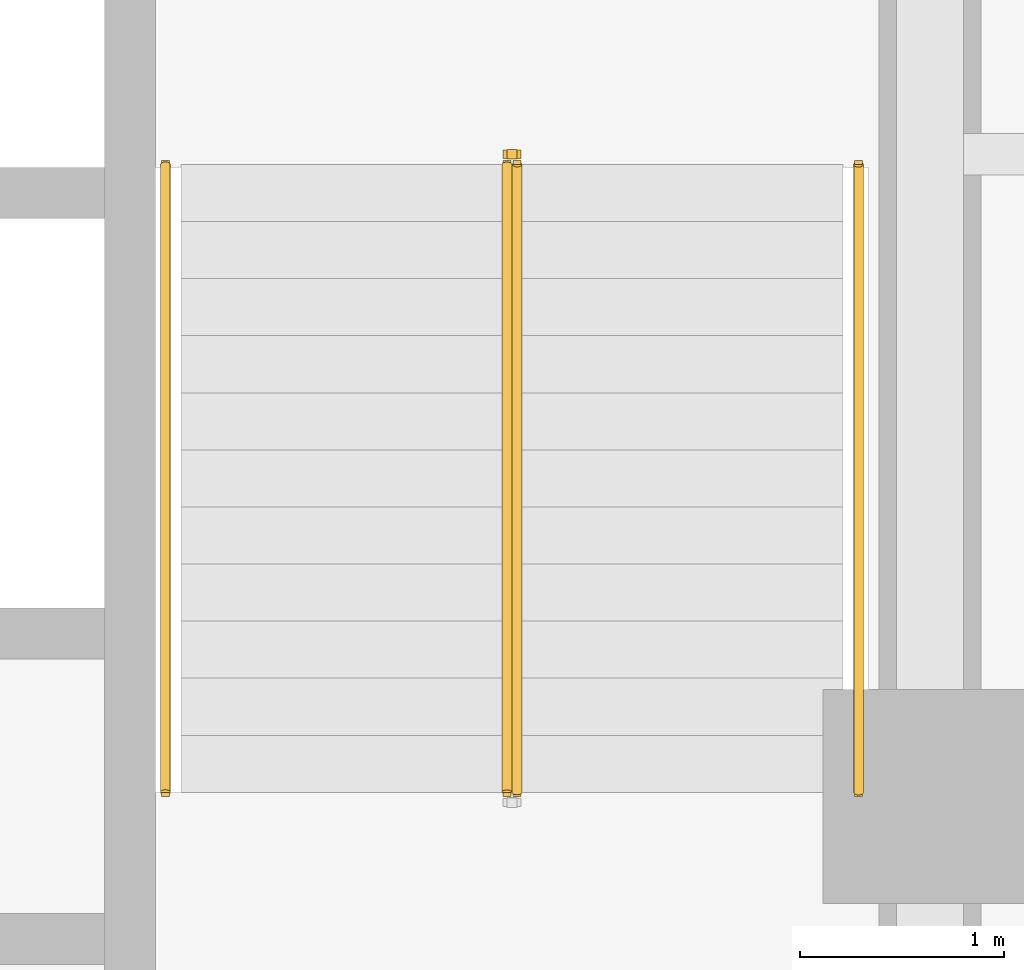
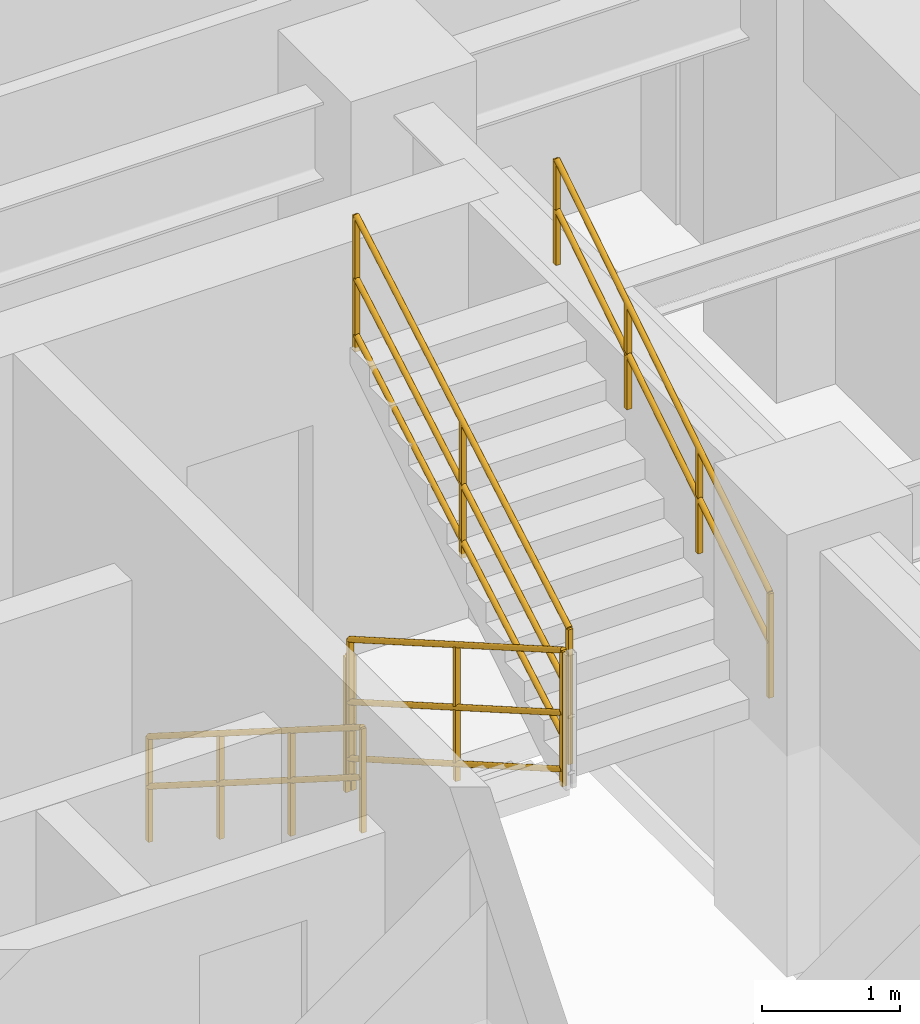
# One storey, part 9 of 10: 5 railings.
"""IFC4 building model written with IfcOpenShell, lengths in metres."""

from ifc_helpers import new_model, entity, si_unit, converted_unit, direction, frame, origin_with_axes, origin_2d_with_axis, place, context, subcontext, project, spatial, rectangle, circle, extrude, material, type_object, element, save


model = new_model("IFC4")

# Units and contexts
model_context = context("Model", 3, precision=1e-05, world=origin_with_axes(), true_north=direction((0.0, 1.0)))
body_context = subcontext(model_context, "Body", "Model", "MODEL_VIEW")
ifc_project = project(units=[si_unit("LENGTHUNIT", "METRE"), si_unit("AREAUNIT", "SQUARE_METRE"), si_unit("VOLUMEUNIT", "CUBIC_METRE"), converted_unit("PLANEANGLEUNIT", "DEGREE", entity("IfcPlaneAngleMeasure", 0.017453292519943295), si_unit("PLANEANGLEUNIT", "RADIAN"), dimensions=[0, 0, 0, 0, 0, 0, 0]), si_unit("MASSUNIT", "GRAM", prefix="KILO"), si_unit("THERMODYNAMICTEMPERATUREUNIT", "KELVIN")], contexts=[model_context])

# Site, building, storey
site_placement = place(None, origin_with_axes())
site = spatial("IfcSite", under=ifc_project, at=site_placement, CompositionType="ELEMENT")
building_placement = place(site_placement, origin_with_axes())
building = spatial("IfcBuilding", under=site, at=building_placement, Name="Varnlund Millrace Tower", CompositionType="ELEMENT")
storey_placement = place(building_placement, frame((0.0, 0.0, 148.5), z_axis=(0.0, 0.0, 1.0), x_axis=(1.0, 0.0, 0.0)))
storey = spatial("IfcBuildingStorey", under=building, at=storey_placement, Name="L36", CompositionType="ELEMENT", Elevation=148.5)

# Railings
ifc_material_1 = material(Name="Painted steel stair well balustrade guard", Category="steel")
railing_type_1 = type_object("IfcRailingType", Name="Type-StairGuard-1150", PredefinedType="GUARDRAIL", material=ifc_material_1)
railing_1_placement = place(storey_placement, frame((0.0, 0.0, -148.5), z_axis=(0.0, 0.0, 1.0), x_axis=(1.0, 0.0, 0.0)))
element("IfcRailing", 1, at=railing_1_placement, inside=storey, type_object=railing_type_1, Name="Type-StairGuard-1150", PredefinedType="GUARDRAIL", context=body_context, shape_type="SweptSolid", body=[
    extrude(circle(Radius=0.024, at=origin_2d_with_axis()), frame((45.975, 21.1, 149.827273), z_axis=(0.0, -0.866696, 0.498836), x_axis=(1.0, 0.0, 0.0)), (0.0, 0.0, 1.0), 3.553725),
    extrude(circle(Radius=0.024, at=origin_2d_with_axis()), frame((45.975, 21.1, 148.777273), z_axis=(0.0, -0.866696, 0.498836), x_axis=(1.0, 0.0, 0.0)), (0.0, 0.0, 1.0), 3.553725),
    extrude(circle(Radius=0.024, at=origin_2d_with_axis()), frame((45.975, 21.1, 149.275273), z_axis=(0.0, -0.866696, 0.498836), x_axis=(1.0, 0.0, 0.0)), (0.0, 0.0, 1.0), 3.553725),
    extrude(rectangle(XDim=0.04, YDim=0.04, at=origin_2d_with_axis()), frame((45.975, 21.1, 148.637273), z_axis=(0.0, 0.0, 1.0), x_axis=(1.0, 0.0, 0.0)), (0.0, 0.0, 1.0), 1.19),
    extrude(rectangle(XDim=0.04, YDim=0.04, at=origin_2d_with_axis()), frame((45.975, 19.56, 149.523637), z_axis=(0.0, 0.0, 1.0), x_axis=(1.0, 0.0, 0.0)), (0.0, 0.0, 1.0), 1.19),
    extrude(rectangle(XDim=0.04, YDim=0.04, at=origin_2d_with_axis()), frame((45.975, 18.02, 150.41), z_axis=(0.0, 0.0, 1.0), x_axis=(1.0, 0.0, 0.0)), (0.0, 0.0, 1.0), 1.19),
])
railing_2_placement = place(storey_placement, frame((0.0, 0.0, -148.5), z_axis=(0.0, 0.0, 1.0), x_axis=(1.0, 0.0, 0.0)))
element("IfcRailing", 2, at=railing_2_placement, inside=storey, type_object=railing_type_1, Name="Type-StairGuard-1150", PredefinedType="GUARDRAIL", context=body_context, shape_type="SweptSolid", body=[
    extrude(circle(Radius=0.024, at=origin_2d_with_axis()), frame((46.025, 18.02, 151.777273), z_axis=(0.0, 0.866696, 0.498836), x_axis=(-1.0, 0.0, 0.0)), (0.0, 0.0, 1.0), 3.553725),
    extrude(circle(Radius=0.024, at=origin_2d_with_axis()), frame((46.025, 18.02, 150.727273), z_axis=(0.0, 0.866696, 0.498836), x_axis=(-1.0, 0.0, 0.0)), (0.0, 0.0, 1.0), 3.553725),
    extrude(circle(Radius=0.024, at=origin_2d_with_axis()), frame((46.025, 18.02, 151.225273), z_axis=(0.0, 0.866696, 0.498836), x_axis=(-1.0, 0.0, 0.0)), (0.0, 0.0, 1.0), 3.553725),
    extrude(rectangle(XDim=0.04, YDim=0.04, at=origin_2d_with_axis()), frame((46.025, 18.02, 150.587273), z_axis=(0.0, 0.0, 1.0), x_axis=(1.0, 0.0, 0.0)), (0.0, 0.0, 1.0), 1.19),
    extrude(rectangle(XDim=0.04, YDim=0.04, at=origin_2d_with_axis()), frame((46.025, 19.56, 151.473637), z_axis=(0.0, 0.0, 1.0), x_axis=(1.0, 0.0, 0.0)), (0.0, 0.0, 1.0), 1.19),
    extrude(rectangle(XDim=0.04, YDim=0.04, at=origin_2d_with_axis()), frame((46.025, 21.1, 152.36), z_axis=(0.0, 0.0, 1.0), x_axis=(1.0, 0.0, 0.0)), (0.0, 0.0, 1.0), 1.19),
])
railing_3_placement = place(storey_placement, frame((0.0, 0.0, -148.5), z_axis=(0.0, 0.0, 1.0), x_axis=(1.0, 0.0, 0.0)))
element("IfcRailing", 3, at=railing_3_placement, inside=storey, type_object=railing_type_1, Name="Type-StairGuard-1150", PredefinedType="GUARDRAIL", context=body_context, shape_type="SweptSolid", body=[
    extrude(circle(Radius=0.024, at=origin_2d_with_axis()), frame((46.025, 21.15, 149.65), z_axis=(-1.0, 0.0, 0.0), x_axis=(0.0, -1.0, 0.0)), (0.0, 0.0, 1.0), 0.05),
    extrude(circle(Radius=0.024, at=origin_2d_with_axis()), frame((46.025, 21.15, 148.6), z_axis=(-1.0, 0.0, 0.0), x_axis=(0.0, -1.0, 0.0)), (0.0, 0.0, 1.0), 0.05),
    extrude(circle(Radius=0.024, at=origin_2d_with_axis()), frame((46.025, 21.15, 149.098), z_axis=(-1.0, 0.0, 0.0), x_axis=(0.0, -1.0, 0.0)), (0.0, 0.0, 1.0), 0.05),
    extrude(rectangle(XDim=0.04, YDim=0.04, at=origin_2d_with_axis()), frame((46.025, 21.15, 148.46), z_axis=(0.0, 0.0, 1.0), x_axis=(1.0, 0.0, 0.0)), (0.0, 0.0, 1.0), 1.19),
    extrude(rectangle(XDim=0.04, YDim=0.04, at=origin_2d_with_axis()), frame((45.975, 21.15, 148.46), z_axis=(0.0, 0.0, 1.0), x_axis=(1.0, 0.0, 0.0)), (0.0, 0.0, 1.0), 1.19),
])
ifc_material_2 = material(Name="Brushed architectural bronze stair handrail", Category="aluminium")
railing_type_2 = type_object("IfcRailingType", Name="Type-StairHandrail-900", PredefinedType="HANDRAIL", material=ifc_material_2)
railing_4_placement = place(storey_placement, frame((0.0, 0.0, -148.5), z_axis=(0.0, 0.0, 1.0), x_axis=(1.0, 0.0, 0.0)))
element("IfcRailing", 4, at=railing_4_placement, inside=storey, type_object=railing_type_2, Name="Type-StairHandrail-900", PredefinedType="HANDRAIL", context=body_context, shape_type="SweptSolid", body=[
    extrude(circle(Radius=0.024, at=origin_2d_with_axis()), frame((44.3, 21.1, 149.556995), z_axis=(0.0, -0.844902, 0.534922), x_axis=(1.0, 0.0, 0.0)), (0.0, 0.0, 1.0), 3.645394),
    extrude(circle(Radius=0.024, at=origin_2d_with_axis()), frame((44.3, 21.1, 149.117134), z_axis=(0.0, -0.844902, 0.534922), x_axis=(1.0, 0.0, 0.0)), (0.0, 0.0, 1.0), 3.645394),
    extrude(rectangle(XDim=0.04, YDim=0.04, at=origin_2d_with_axis()), frame((44.3, 21.1, 148.637273), z_axis=(0.0, 0.0, 1.0), x_axis=(1.0, 0.0, 0.0)), (0.0, 0.0, 1.0), 0.919722),
    extrude(rectangle(XDim=0.04, YDim=0.04, at=origin_2d_with_axis()), frame((44.3, 20.073333, 149.287273), z_axis=(0.0, 0.0, 1.0), x_axis=(1.0, 0.0, 0.0)), (0.0, 0.0, 1.0), 0.919722),
    extrude(rectangle(XDim=0.04, YDim=0.04, at=origin_2d_with_axis()), frame((44.3, 19.046667, 149.937273), z_axis=(0.0, 0.0, 1.0), x_axis=(1.0, 0.0, 0.0)), (0.0, 0.0, 1.0), 0.919722),
    extrude(rectangle(XDim=0.04, YDim=0.04, at=origin_2d_with_axis()), frame((44.3, 18.02, 150.587273), z_axis=(0.0, 0.0, 1.0), x_axis=(1.0, 0.0, 0.0)), (0.0, 0.0, 1.0), 0.919722),
])
railing_5_placement = place(storey_placement, frame((0.0, 0.0, -148.5), z_axis=(0.0, 0.0, 1.0), x_axis=(1.0, 0.0, 0.0)))
element("IfcRailing", 5, at=railing_5_placement, inside=storey, type_object=railing_type_2, Name="Type-StairHandrail-900", PredefinedType="HANDRAIL", context=body_context, shape_type="SweptSolid", body=[
    extrude(circle(Radius=0.024, at=origin_2d_with_axis()), frame((47.7, 18.02, 151.506995), z_axis=(0.0, 0.844902, 0.534922), x_axis=(-1.0, 0.0, 0.0)), (0.0, 0.0, 1.0), 3.645394),
    extrude(circle(Radius=0.024, at=origin_2d_with_axis()), frame((47.7, 18.02, 151.067134), z_axis=(0.0, 0.844902, 0.534922), x_axis=(-1.0, 0.0, 0.0)), (0.0, 0.0, 1.0), 3.645394),
    extrude(rectangle(XDim=0.04, YDim=0.04, at=origin_2d_with_axis()), frame((47.7, 18.02, 150.587273), z_axis=(0.0, 0.0, 1.0), x_axis=(1.0, 0.0, 0.0)), (0.0, 0.0, 1.0), 0.919722),
    extrude(rectangle(XDim=0.04, YDim=0.04, at=origin_2d_with_axis()), frame((47.7, 19.046667, 151.237273), z_axis=(0.0, 0.0, 1.0), x_axis=(1.0, 0.0, 0.0)), (0.0, 0.0, 1.0), 0.919722),
    extrude(rectangle(XDim=0.04, YDim=0.04, at=origin_2d_with_axis()), frame((47.7, 20.073333, 151.887273), z_axis=(0.0, 0.0, 1.0), x_axis=(1.0, 0.0, 0.0)), (0.0, 0.0, 1.0), 0.919722),
    extrude(rectangle(XDim=0.04, YDim=0.04, at=origin_2d_with_axis()), frame((47.7, 21.1, 152.537273), z_axis=(0.0, 0.0, 1.0), x_axis=(1.0, 0.0, 0.0)), (0.0, 0.0, 1.0), 0.919722),
])

save(model, "model.ifc")
